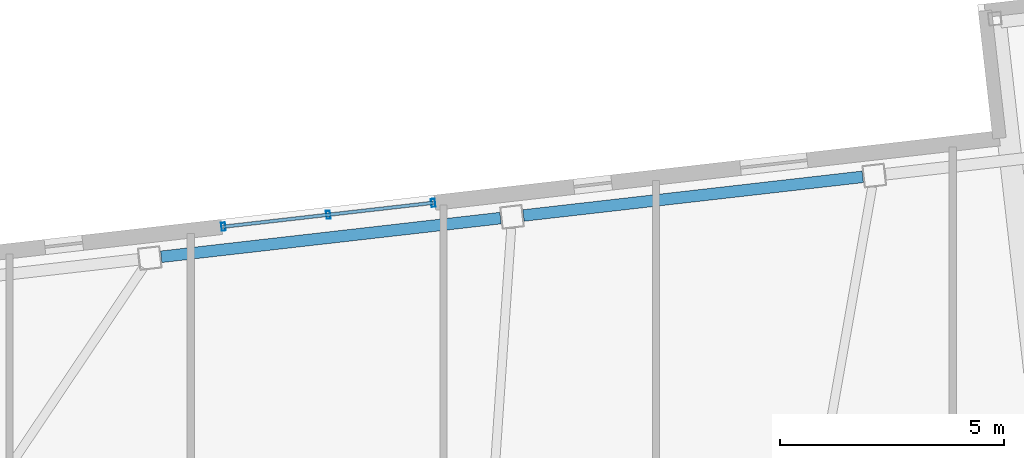
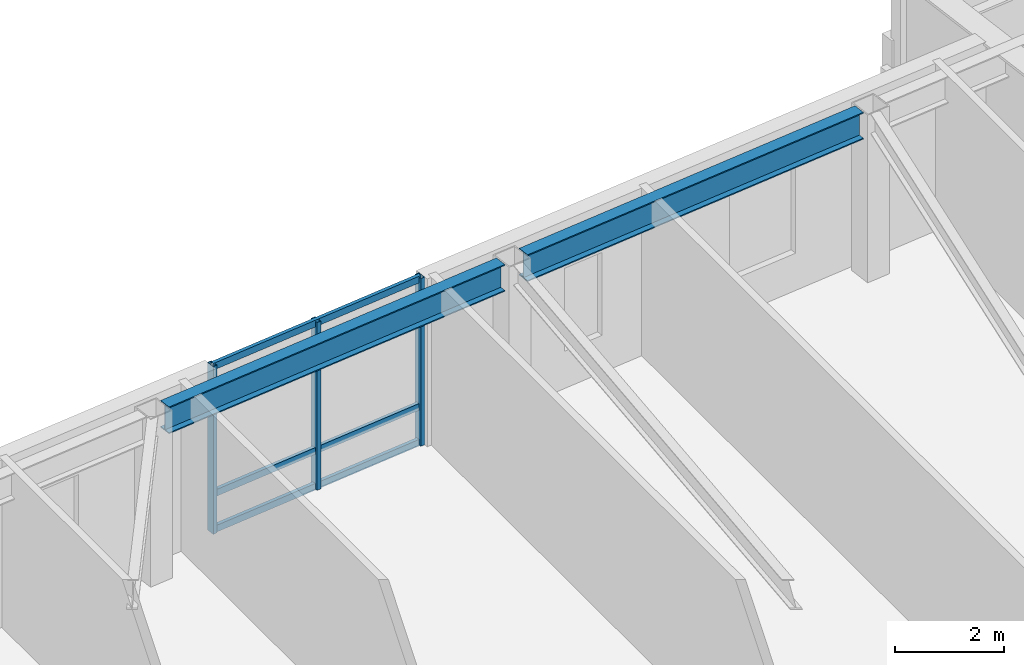
# One storey, part 10 of 19: 6 members, 2 beams, 1 element without a shape of its own.
"""IFC4 building model written with IfcOpenShell, lengths in metres."""

import ifcopenshell
import ifcopenshell.guid

model = None  # the IFC model being written
_history = None  # IfcOwnerHistory: only IFC2X3 demands one
_inside = {}  # id of a spatial element -> (the spatial element, [elements in it])
_under = {}  # id of a project, library or spatial element -> (it, [spatial elements below it])
_declared = {}  # id of a project -> (the project, [libraries it declares])
_typed = {}  # id of a type object -> (the type object, [elements of that type])
_made_of = {}  # id of a material, layer set ... -> (it, [elements and type objects made of it])


def new_model(schema):
    """Start an empty IFC model of exactly this schema.

    Asked for "IFC4X3", IfcOpenShell would pick the latest addendum, in which some entities
    have other attributes; the version numbers below select the first issue.
    IFC2X3 requires an IfcOwnerHistory on every rooted entity: one is made here for all.
    """
    global model, _history
    if schema == "IFC4X3":
        model = ifcopenshell.file(schema_version=(4, 3, 0, 0))
    else:
        model = ifcopenshell.file(schema=schema)
    _inside.clear()
    _under.clear()
    _declared.clear()
    _typed.clear()
    _made_of.clear()
    _history = None
    if model.schema == "IFC2X3":
        org = make("IfcOrganization", Name="unknown")
        user = make(
            "IfcPersonAndOrganization",
            ThePerson=make("IfcPerson", FamilyName="unknown"),
            TheOrganization=org,
        )
        app = make(
            "IfcApplication",
            ApplicationDeveloper=org,
            Version="unknown",
            ApplicationFullName="unknown",
            ApplicationIdentifier="unknown",
        )
        _history = make(
            "IfcOwnerHistory",
            OwningUser=user,
            OwningApplication=app,
            ChangeAction="ADDED",
            CreationDate=0,
        )
    return model


def make(cls, **values):
    """One entity of the class cls with the attributes given. An attribute that is None is left unset."""
    return model.create_entity(
        cls, **{name: value for name, value in values.items() if value is not None}
    )


def rooted(cls, **values):
    """An entity with a GlobalId (a new one), such as an element, a storey or a relation."""
    return make(cls, GlobalId=ifcopenshell.guid.new(), OwnerHistory=_history, **values)


def si_unit(unit_type, name, prefix=None):
    """IfcSIUnit, for example si_unit("LENGTHUNIT", "METRE", prefix="MILLI")."""
    return make("IfcSIUnit", UnitType=unit_type, Prefix=prefix, Name=name)


def assignment(units):
    """IfcUnitAssignment: the units of a project."""
    return None if units is None else make("IfcUnitAssignment", Units=units)


def point(xyz):
    """IfcCartesianPoint."""
    return None if xyz is None else make("IfcCartesianPoint", Coordinates=xyz)


def direction(xyz):
    """IfcDirection."""
    return None if xyz is None else make("IfcDirection", DirectionRatios=xyz)


def frame(location, z_axis=None, x_axis=None):
    """IfcAxis2Placement3D, a coordinate frame: its origin and axes. An axis left out is left unset."""
    return make(
        "IfcAxis2Placement3D",
        Location=point(location),
        Axis=direction(z_axis),
        RefDirection=direction(x_axis),
    )


def frame_2d(location, x_axis=None):
    """IfcAxis2Placement2D, a coordinate frame in the plane: its origin and x axis."""
    return make(
        "IfcAxis2Placement2D", Location=point(location), RefDirection=direction(x_axis)
    )


def origin():
    """The frame at (0, 0, 0) with its axes left unset."""
    return frame((0.0, 0.0, 0.0))


def origin_2d():
    """The frame at (0, 0) in the plane with its x axis left unset."""
    return frame_2d((0.0, 0.0))


def place(relative_to, where):
    """IfcLocalPlacement: puts the frame where relative to a parent placement (None: the world)."""
    return make(
        "IfcLocalPlacement", PlacementRelTo=relative_to, RelativePlacement=where
    )


def context(
    kind, dimensions, precision=None, world=None, true_north=None, identifier=None
):
    """IfcGeometricRepresentationContext, for example the 3D "Model" context."""
    return make(
        "IfcGeometricRepresentationContext",
        ContextIdentifier=identifier,
        ContextType=kind,
        CoordinateSpaceDimension=dimensions,
        Precision=precision,
        WorldCoordinateSystem=world,
        TrueNorth=true_north,
    )


def subcontext(parent, identifier, kind, view, scale=None):
    """IfcGeometricRepresentationSubContext, for example "Body" below "Model"."""
    return make(
        "IfcGeometricRepresentationSubContext",
        ContextIdentifier=identifier,
        ContextType=kind,
        ParentContext=parent,
        TargetScale=scale,
        TargetView=view,
    )


def project(units=None, contexts=None):
    """IfcProject with its units and contexts."""
    return rooted(
        "IfcProject",
        Name="project",
        RepresentationContexts=contexts,
        UnitsInContext=assignment(units),
    )


def spatial(cls, under=None, at=None, **own):
    """A site, building, storey or space (cls), placed at a placement, below another one or the project."""
    s = rooted(cls, ObjectPlacement=at, **own)
    if under is not None:
        _under.setdefault(under.id(), (under, []))[1].append(s)
    return s


def profile(cls, at=None, kind="AREA", **sizes):
    """A parametric profile (cls). Its sizes go by their IFC names, for example OverallWidth=200.0."""
    return make(cls, ProfileType=kind, Position=at, **sizes)


def hollow_rectangle(**sizes):
    """IfcRectangleHollowProfileDef."""
    return profile("IfcRectangleHollowProfileDef", **sizes)


def i_section(**sizes):
    """IfcIShapeProfileDef."""
    return profile("IfcIShapeProfileDef", **sizes)


def extrude(swept, where, along, depth):
    """IfcExtrudedAreaSolid: the profile swept, set in the frame where, extruded along a direction by depth."""
    return make(
        "IfcExtrudedAreaSolid",
        SweptArea=swept,
        Position=where,
        ExtrudedDirection=direction(along),
        Depth=depth,
    )


def shape(context_of_items, identifier, shape_type, items):
    """IfcShapeRepresentation: the items that make up one representation, for example the "Body"."""
    return make(
        "IfcShapeRepresentation",
        ContextOfItems=context_of_items,
        RepresentationIdentifier=identifier,
        RepresentationType=shape_type,
        Items=items,
    )


def material(Name=None, Category=None):
    """IfcMaterial."""
    return make("IfcMaterial", Name=Name, Category=Category)


def layer(
    of_material, thickness, ventilated=None, Name=None, Category=None, Priority=None
):
    """IfcMaterialLayer: one layer of a wall or slab, of a material (None: an air gap)."""
    return make(
        "IfcMaterialLayer",
        Material=of_material,
        LayerThickness=thickness,
        IsVentilated=ventilated,
        Name=Name,
        Category=Category,
        Priority=Priority,
    )


def layer_set(layers, Name=None):
    """IfcMaterialLayerSet."""
    return make("IfcMaterialLayerSet", MaterialLayers=layers, LayerSetName=Name)


def material_profile(
    of_material, cross_section, Name=None, Category=None, Priority=None
):
    """IfcMaterialProfile: a cross section and its material."""
    return make(
        "IfcMaterialProfile",
        Name=Name,
        Material=of_material,
        Profile=cross_section,
        Priority=Priority,
        Category=Category,
    )


def profile_set(profiles, Name=None, composite=None):
    """IfcMaterialProfileSet."""
    return make(
        "IfcMaterialProfileSet",
        Name=Name,
        MaterialProfiles=profiles,
        CompositeProfile=composite,
    )


def made_of(thing, what):
    """Note that an element or type object is made of a material, layer set ...; save() writes the relation."""
    if what is not None:
        _made_of.setdefault(what.id(), (what, []))[1].append(thing)
    return thing


def type_object(cls, material=None, **own):
    """A type object (cls), such as IfcWallType, which elements share."""
    return made_of(rooted(cls, **own), material)


def element(
    cls,
    number,
    at=None,
    inside=None,
    cuts=None,
    type_object=None,
    material=None,
    context=None,
    identifier="Body",
    shape_type=None,
    held_by="IfcProductDefinitionShape",
    body=None,
    shapes=None,
    **own,
):
    """One element of the class cls, such as IfcWall. Its Tag is "e" and its number.

    at: its placement. inside: the storey or other place that contains it. cuts: it is an
    opening in that element (IfcRelVoidsElement). A single representation is given by context,
    identifier, shape_type and body (its items); several are given by shapes. held_by: the class
    of the entity that holds the representations. save() writes the other relations.
    """
    e = rooted(cls, Tag="e%d" % number, ObjectPlacement=at, **own)
    if body is not None:
        shapes = [shape(context, identifier, shape_type, body)]
    if shapes is not None:
        e.Representation = make(held_by, Representations=shapes)
    if inside is not None:
        _inside.setdefault(inside.id(), (inside, []))[1].append(e)
    if cuts is not None:
        rooted(
            "IfcRelVoidsElement", RelatingBuildingElement=cuts, RelatedOpeningElement=e
        )
    if type_object is not None:
        _typed.setdefault(type_object.id(), (type_object, []))[1].append(e)
    return made_of(e, material)


def aggregate(whole, parts):
    """IfcRelAggregates: a whole, such as a stair, and the parts it consists of."""
    return rooted("IfcRelAggregates", RelatingObject=whole, RelatedObjects=parts)


def save(model, path):
    """Write the relations noted so far, then the file.

    IfcRelAggregates (storeys below a building ...), IfcRelContainedInSpatialStructure (elements
    in a storey), IfcRelDefinesByType, IfcRelAssociatesMaterial and IfcRelDeclares: one each for
    every whole, place, type object, material and project.
    """
    for whole, parts in _under.values():
        aggregate(whole, parts)
    for where, things in _inside.values():
        rooted(
            "IfcRelContainedInSpatialStructure",
            RelatedElements=things,
            RelatingStructure=where,
        )
    for kind, things in _typed.values():
        rooted("IfcRelDefinesByType", RelatedObjects=things, RelatingType=kind)
    for what, things in _made_of.values():
        rooted("IfcRelAssociatesMaterial", RelatedObjects=things, RelatingMaterial=what)
    for by, libraries in _declared.values():
        rooted("IfcRelDeclares", RelatingContext=by, RelatedDefinitions=libraries)
    model.write(path)


model = new_model("IFC4")

# Units and contexts
model_context = context("Model", 3, precision=1e-05, world=origin(), true_north=direction((0.0, 1.0)))
body_context = subcontext(model_context, "Body", "Model", "MODEL_VIEW")
ifc_project = project(units=[si_unit("LENGTHUNIT", "METRE"), si_unit("AREAUNIT", "SQUARE_METRE"), si_unit("VOLUMEUNIT", "CUBIC_METRE"), si_unit("PLANEANGLEUNIT", "RADIAN"), si_unit("MASSUNIT", "GRAM", prefix="KILO")], contexts=[model_context])

# Site, building, storey
site_placement = place(None, origin())
site = spatial("IfcSite", under=ifc_project, at=site_placement, CompositionType="ELEMENT")
building_placement = place(site_placement, origin())
building = spatial("IfcBuilding", under=site, at=building_placement, Name="Tavrogorsk Clinical Tower", CompositionType="ELEMENT")
storey_placement = place(building_placement, frame((0.0, 0.0, 243.0)))
storey = spatial("IfcBuildingStorey", under=building, at=storey_placement, Name="L56", CompositionType="ELEMENT", Elevation=243.0)

# Curtain wall, members
ifc_material_1 = material(Name="Anodised aluminium and triple IGU glazing", Category="aluminium")
ifc_layer = layer(ifc_material_1, 0.179931640625)
ifc_layer_set = layer_set([ifc_layer], Name="Anodised aluminium and triple IGU glazing")
curtain_wall_type = type_object("IfcCurtainWallType", Name="CW2_NorthSlot", PredefinedType="NOTDEFINED", material=ifc_layer_set)
curtain_wall_placement = place(storey_placement, origin())
curtain_wall = element("IfcCurtainWall", 1, at=curtain_wall_placement, inside=storey, type_object=curtain_wall_type, Name="L56 Curtain Wall CW-L56-N-SLOT-1", PredefinedType="NOTDEFINED")
ifc_material_2 = material(Name="Anodised aluminium alloy AW-6060", Category="aluminium")
ifc_material_profile_1 = material_profile(ifc_material_2, hollow_rectangle(XDim=0.090087890625, YDim=0.179931640625, WallThickness=0.00634765625, at=origin_2d()), Name="RHS-180x90x6.3")
ifc_profile_set_1 = profile_set([ifc_material_profile_1], Name="Anodised aluminium alloy AW-6060")
member_type_1 = type_object("IfcMemberType", Name="CwMullion_180x90", PredefinedType="MULLION", material=ifc_profile_set_1)
member_1_placement = place(storey_placement, frame((-10.781982421875, 25.42529296875, 0.0), z_axis=(0.0, 0.0, 1.0), x_axis=(-0.993571855603, -0.11320321441, 0.0)))
member_1 = element("IfcMember", 2, at=member_1_placement, type_object=member_type_1, Name="CW-L56-N-SLOT-1 Mullion 1", PredefinedType="MULLION", context=body_context, shape_type="SweptSolid", body=[
    extrude(hollow_rectangle(XDim=0.090087890625, YDim=0.179931640625, WallThickness=0.00634765625, at=origin_2d()), origin(), (0.0, 0.0, 1.0), 3.739990234375),
])
member_2_placement = place(storey_placement, frame((-13.1259765625, 25.158203125, 0.0), z_axis=(0.0, 0.0, 1.0), x_axis=(-0.993571855603, -0.11320321441, 0.0)))
member_2 = element("IfcMember", 3, at=member_2_placement, type_object=member_type_1, Name="CW-L56-N-SLOT-1 Mullion 2", PredefinedType="MULLION", context=body_context, shape_type="SweptSolid", body=[
    extrude(hollow_rectangle(XDim=0.090087890625, YDim=0.179931640625, WallThickness=0.00634765625, at=origin_2d()), origin(), (0.0, 0.0, 1.0), 3.739990234375),
])
member_3_placement = place(storey_placement, frame((-15.4697265625, 24.89111328125, 0.0), z_axis=(0.0, 0.0, 1.0), x_axis=(-0.993571855603, -0.11320321441, 0.0)))
member_3 = element("IfcMember", 4, at=member_3_placement, type_object=member_type_1, Name="CW-L56-N-SLOT-1 Mullion 3", PredefinedType="MULLION", context=body_context, shape_type="SweptSolid", body=[
    extrude(hollow_rectangle(XDim=0.090087890625, YDim=0.179931640625, WallThickness=0.00634765625, at=origin_2d()), origin(), (0.0, 0.0, 1.0), 3.739990234375),
])
ifc_material_3 = material(Name="Anodised aluminium alloy AW-6060", Category="aluminium")
ifc_material_profile_2 = material_profile(ifc_material_3, hollow_rectangle(XDim=0.074951171875, YDim=0.14990234375, WallThickness=0.0048828125, at=origin_2d()), Name="RHS-150x75x5")
ifc_profile_set_2 = profile_set([ifc_material_profile_2], Name="Anodised aluminium alloy AW-6060")
member_type_2 = type_object("IfcMemberType", Name="CwTransom_150x75", PredefinedType="USERDEFINED", material=ifc_profile_set_2)
member_4_placement = place(storey_placement, frame((-10.781982421875, 25.42529296875, 0.050048828125), z_axis=(-0.993569979218, -0.113219682023, 0.0), x_axis=(0.113219682023, -0.993569979218, 0.0)))
member_4 = element("IfcMember", 5, at=member_4_placement, type_object=member_type_2, Name="CW-L56-N-SLOT-1 Transom 1", ObjectType="TRANSOM", PredefinedType="USERDEFINED", context=body_context, shape_type="SweptSolid", body=[
    extrude(hollow_rectangle(XDim=0.074951171875, YDim=0.14990234375, WallThickness=0.0048828125, at=origin_2d()), origin(), (0.0, 0.0, 1.0), 4.718017578125),
])
member_5_placement = place(storey_placement, frame((-10.781982421875, 25.42529296875, 0.85009765625), z_axis=(-0.993569979218, -0.113219682023, 0.0), x_axis=(0.113219682023, -0.993569979218, 0.0)))
member_5 = element("IfcMember", 6, at=member_5_placement, type_object=member_type_2, Name="CW-L56-N-SLOT-1 Transom 2", ObjectType="TRANSOM", PredefinedType="USERDEFINED", context=body_context, shape_type="SweptSolid", body=[
    extrude(hollow_rectangle(XDim=0.074951171875, YDim=0.14990234375, WallThickness=0.0048828125, at=origin_2d()), origin(), (0.0, 0.0, 1.0), 4.718017578125),
])
member_6_placement = place(storey_placement, frame((-10.781982421875, 25.42529296875, 3.68994140625), z_axis=(-0.993569979218, -0.113219682023, 0.0), x_axis=(0.113219682023, -0.993569979218, 0.0)))
member_6 = element("IfcMember", 7, at=member_6_placement, type_object=member_type_2, Name="CW-L56-N-SLOT-1 Transom 3", ObjectType="TRANSOM", PredefinedType="USERDEFINED", context=body_context, shape_type="SweptSolid", body=[
    extrude(hollow_rectangle(XDim=0.074951171875, YDim=0.14990234375, WallThickness=0.0048828125, at=origin_2d()), origin(), (0.0, 0.0, 1.0), 4.718017578125),
])
aggregate(curtain_wall, [member_1, member_2, member_3, member_4, member_5, member_6])

# Beams
ifc_material_4 = material(Name="Structural steel S390", Category="steel")
ifc_material_profile_3 = material_profile(ifc_material_4, i_section(OverallWidth=0.260009765625, OverallDepth=0.60009765625, WebThickness=0.014892578125, FlangeThickness=0.02392578125, at=origin_2d()), Name="B-600x260x15x24")
ifc_profile_set_3 = profile_set([ifc_material_profile_3], Name="Structural steel S390")
beam_type = type_object("IfcBeamType", Name="SpandrelBeam_B600", PredefinedType="SPANDREL", material=ifc_profile_set_3)
for number, where, z_axis, x_axis, name in (
    (8, (-1.18017578125, 26.006103515625, 3.43994140625), (-0.993568501687, -0.113232647478, 0.0), (0.113232647478, -0.993568501687, 0.0), "L56 Perimeter Spandrel N4-N5"),
    (9, (-9.2763671875, 25.08349609375, 3.43994140625), (-0.993572099834, -0.113201070804, 0.0), (0.113201070804, -0.993572099834, 0.0), "L56 Perimeter Spandrel N5-N6"),
):
    element("IfcBeam", number, at=place(storey_placement, frame(where, z_axis=z_axis, x_axis=x_axis)), inside=storey, type_object=beam_type, Name=name, PredefinedType="SPANDREL", context=body_context, shape_type="SweptSolid", body=[
        extrude(i_section(OverallWidth=0.260009765625, OverallDepth=0.60009765625, WebThickness=0.014892578125, FlangeThickness=0.02392578125, at=origin_2d()), origin(), (0.0, 0.0, 1.0), 7.632568359375),
    ])

save(model, "model.ifc")
